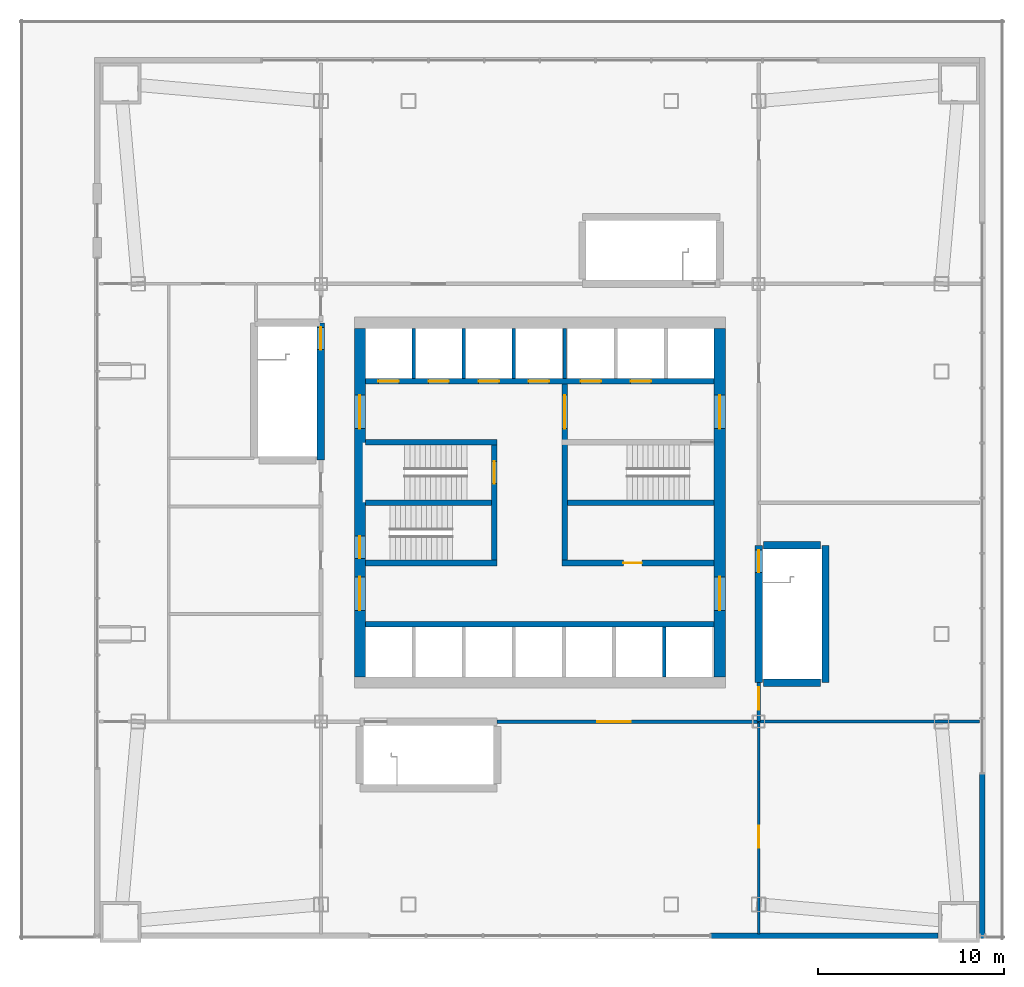
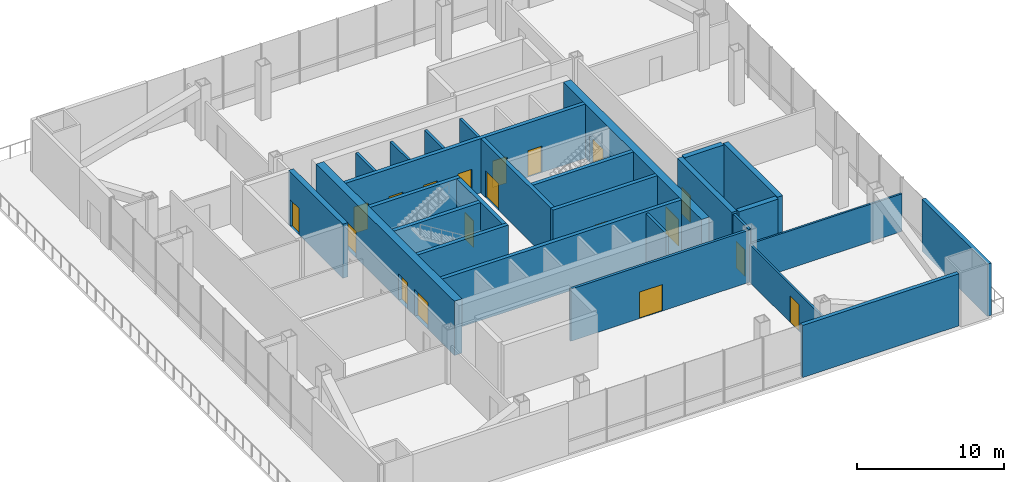
# One storey, part 12 of 15: 27 walls, 19 doors, 19 openings.
"""IFC4 building model written with IfcOpenShell, lengths in metres."""

from ifc_helpers import new_model, si_unit, direction, frame, frame_2d, origin, place, context, subcontext, project, spatial, rectangle, extrude, material, layer, layer_set, type_object, element, fill, save


model = new_model("IFC4")

# Units and contexts
model_context = context("Model", 3, precision=1e-05, world=origin(), true_north=direction((0.0, 1.0)))
body_context = subcontext(model_context, "Body", "Model", "MODEL_VIEW")
ifc_project = project(units=[si_unit("LENGTHUNIT", "METRE"), si_unit("AREAUNIT", "SQUARE_METRE"), si_unit("VOLUMEUNIT", "CUBIC_METRE"), si_unit("PLANEANGLEUNIT", "RADIAN"), si_unit("MASSUNIT", "GRAM", prefix="KILO")], contexts=[model_context])

# Site, building, storey
site_placement = place(None, origin())
site = spatial("IfcSite", under=ifc_project, at=site_placement, CompositionType="ELEMENT")
building_placement = place(site_placement, origin())
building = spatial("IfcBuilding", under=site, at=building_placement, Name="Turquesa Mirador Hotel Tower", CompositionType="ELEMENT")
storey_placement = place(building_placement, frame((0.0, 0.0, 20.5)))
storey = spatial("IfcBuildingStorey", under=building, at=storey_placement, Name="L04", CompositionType="ELEMENT", Elevation=20.5)

# Wall, openings, doors
ifc_material_1 = material(Name="Concrete C50/60", Category="concrete")
ifc_layer_1 = layer(ifc_material_1, 0.300048828125)
ifc_layer_set_1 = layer_set([ifc_layer_1], Name="CORE INNER WALL 300")
wall_type_1 = type_object("IfcWallType", Name="CORE INNER WALL 300", PredefinedType="SHEAR", material=ifc_layer_set_1)
wall_1_placement = place(storey_placement, frame((45.60009765625, 51.550048828125, 0.0), z_axis=(0.0, 0.0, 1.0), x_axis=(1.0, 0.0, 0.0)))
wall_1 = element("IfcWall", 1, at=wall_1_placement, inside=storey, type_object=wall_type_1, Name="Core wall NL", PredefinedType="SHEAR", context=body_context, shape_type="SweptSolid", body=[
    extrude(rectangle(XDim=18.7998046875, YDim=0.300048828125, at=frame_2d((9.39990234375, 0.0))), origin(), (0.0, 0.0, 1.0), 4.5),
])
opening_1_placement = place(wall_1_placement, frame((0.699951171875, 0.0, 0.0)))
opening_1 = element("IfcOpeningElement", 2, at=opening_1_placement, cuts=wall_1, Name="Opening LD", PredefinedType="OPENING", context=body_context, shape_type="SweptSolid", body=[
    extrude(rectangle(XDim=1.10009765625, YDim=2.199951171875, at=frame_2d((0.550048828125, 1.10009765625))), frame((0.0, 0.159912109375, 0.0), z_axis=(0.0, -1.0, 0.0), x_axis=(1.0, 0.0, 0.0)), (0.0, 0.0, 1.0), 0.320068359375),
])
opening_2_placement = place(wall_1_placement, frame((3.39990234375, 0.0, 0.0)))
opening_2 = element("IfcOpeningElement", 3, at=opening_2_placement, cuts=wall_1, Name="Opening LD", PredefinedType="OPENING", context=body_context, shape_type="SweptSolid", body=[
    extrude(rectangle(XDim=1.10009765625, YDim=2.199951171875, at=frame_2d((0.550048828125, 1.10009765625))), frame((0.0, 0.159912109375, 0.0), z_axis=(0.0, -1.0, 0.0), x_axis=(1.0, 0.0, 0.0)), (0.0, 0.0, 1.0), 0.320068359375),
])
opening_3_placement = place(wall_1_placement, frame((6.10009765625, 0.0, 0.0)))
opening_3 = element("IfcOpeningElement", 4, at=opening_3_placement, cuts=wall_1, Name="Opening LD", PredefinedType="OPENING", context=body_context, shape_type="SweptSolid", body=[
    extrude(rectangle(XDim=1.10009765625, YDim=2.199951171875, at=frame_2d((0.550048828125, 1.10009765625))), frame((0.0, 0.159912109375, 0.0), z_axis=(0.0, -1.0, 0.0), x_axis=(1.0, 0.0, 0.0)), (0.0, 0.0, 1.0), 0.320068359375),
])
opening_4_placement = place(wall_1_placement, frame((8.800048828125, 0.0, 0.0)))
opening_4 = element("IfcOpeningElement", 5, at=opening_4_placement, cuts=wall_1, Name="Opening LD", PredefinedType="OPENING", context=body_context, shape_type="SweptSolid", body=[
    extrude(rectangle(XDim=1.10009765625, YDim=2.199951171875, at=frame_2d((0.550048828125, 1.10009765625))), frame((0.0, 0.159912109375, 0.0), z_axis=(0.0, -1.0, 0.0), x_axis=(1.0, 0.0, 0.0)), (0.0, 0.0, 1.0), 0.320068359375),
])
opening_5_placement = place(wall_1_placement, frame((11.60009765625, 0.0, 0.0)))
opening_5 = element("IfcOpeningElement", 6, at=opening_5_placement, cuts=wall_1, Name="Opening LD", PredefinedType="OPENING", context=body_context, shape_type="SweptSolid", body=[
    extrude(rectangle(XDim=1.10009765625, YDim=2.199951171875, at=frame_2d((0.550048828125, 1.10009765625))), frame((0.0, 0.159912109375, 0.0), z_axis=(0.0, -1.0, 0.0), x_axis=(1.0, 0.0, 0.0)), (0.0, 0.0, 1.0), 0.320068359375),
])
opening_6_placement = place(wall_1_placement, frame((14.300048828125, 0.0, 0.0)))
opening_6 = element("IfcOpeningElement", 7, at=opening_6_placement, cuts=wall_1, Name="Opening LD", PredefinedType="OPENING", context=body_context, shape_type="SweptSolid", body=[
    extrude(rectangle(XDim=1.10009765625, YDim=2.199951171875, at=frame_2d((0.550048828125, 1.10009765625))), frame((0.0, 0.159912109375, 0.0), z_axis=(0.0, -1.0, 0.0), x_axis=(1.0, 0.0, 0.0)), (0.0, 0.0, 1.0), 0.320068359375),
])
ifc_material_2 = material(Name="Stainless steel lift landing door", Category="steel")
door_type_1 = type_object("IfcDoorType", Name="LIFT LANDING DOOR 1100X2200", OperationType="SLIDING_TO_LEFT", PredefinedType="DOOR", material=ifc_material_2)
door_1_placement = place(opening_1_placement, origin())
door_1 = element("IfcDoor", 8, at=door_1_placement, inside=storey, type_object=door_type_1, Name="Lift A1 landing door", OperationType="SLIDING_TO_LEFT", OverallHeight=2.199951171875, OverallWidth=1.10009765625, PredefinedType="DOOR", context=body_context, shape_type="SweptSolid", body=[
    extrude(rectangle(XDim=1.10009765625, YDim=2.199951171875, at=frame_2d((0.550048828125, 1.10009765625))), frame((0.0, 0.02490234375, 0.0), z_axis=(0.0, -1.0, 0.0), x_axis=(1.0, 0.0, 0.0)), (0.0, 0.0, 1.0), 0.050048828125),
])
fill(opening_1, door_1)
door_2_placement = place(opening_2_placement, origin())
door_2 = element("IfcDoor", 9, at=door_2_placement, inside=storey, type_object=door_type_1, Name="Lift A2 landing door", OperationType="SLIDING_TO_LEFT", OverallHeight=2.199951171875, OverallWidth=1.10009765625, PredefinedType="DOOR", context=body_context, shape_type="SweptSolid", body=[
    extrude(rectangle(XDim=1.10009765625, YDim=2.199951171875, at=frame_2d((0.550048828125, 1.10009765625))), frame((0.0, 0.02490234375, 0.0), z_axis=(0.0, -1.0, 0.0), x_axis=(1.0, 0.0, 0.0)), (0.0, 0.0, 1.0), 0.050048828125),
])
fill(opening_2, door_2)
door_3_placement = place(opening_3_placement, origin())
door_3 = element("IfcDoor", 10, at=door_3_placement, inside=storey, type_object=door_type_1, Name="Lift A3 landing door", OperationType="SLIDING_TO_LEFT", OverallHeight=2.199951171875, OverallWidth=1.10009765625, PredefinedType="DOOR", context=body_context, shape_type="SweptSolid", body=[
    extrude(rectangle(XDim=1.10009765625, YDim=2.199951171875, at=frame_2d((0.550048828125, 1.10009765625))), frame((0.0, 0.02490234375, 0.0), z_axis=(0.0, -1.0, 0.0), x_axis=(1.0, 0.0, 0.0)), (0.0, 0.0, 1.0), 0.050048828125),
])
fill(opening_3, door_3)
door_4_placement = place(opening_4_placement, origin())
door_4 = element("IfcDoor", 11, at=door_4_placement, inside=storey, type_object=door_type_1, Name="Lift A4 landing door", OperationType="SLIDING_TO_LEFT", OverallHeight=2.199951171875, OverallWidth=1.10009765625, PredefinedType="DOOR", context=body_context, shape_type="SweptSolid", body=[
    extrude(rectangle(XDim=1.10009765625, YDim=2.199951171875, at=frame_2d((0.550048828125, 1.10009765625))), frame((0.0, 0.02490234375, 0.0), z_axis=(0.0, -1.0, 0.0), x_axis=(1.0, 0.0, 0.0)), (0.0, 0.0, 1.0), 0.050048828125),
])
fill(opening_4, door_4)
door_5_placement = place(opening_5_placement, origin())
door_5 = element("IfcDoor", 12, at=door_5_placement, inside=storey, type_object=door_type_1, Name="Lift S1 landing door", OperationType="SLIDING_TO_LEFT", OverallHeight=2.199951171875, OverallWidth=1.10009765625, PredefinedType="DOOR", context=body_context, shape_type="SweptSolid", body=[
    extrude(rectangle(XDim=1.10009765625, YDim=2.199951171875, at=frame_2d((0.550048828125, 1.10009765625))), frame((0.0, 0.02490234375, 0.0), z_axis=(0.0, -1.0, 0.0), x_axis=(1.0, 0.0, 0.0)), (0.0, 0.0, 1.0), 0.050048828125),
])
fill(opening_5, door_5)
door_6_placement = place(opening_6_placement, origin())
door_6 = element("IfcDoor", 13, at=door_6_placement, inside=storey, type_object=door_type_1, Name="Lift S2 landing door", OperationType="SLIDING_TO_LEFT", OverallHeight=2.199951171875, OverallWidth=1.10009765625, PredefinedType="DOOR", context=body_context, shape_type="SweptSolid", body=[
    extrude(rectangle(XDim=1.10009765625, YDim=2.199951171875, at=frame_2d((0.550048828125, 1.10009765625))), frame((0.0, 0.02490234375, 0.0), z_axis=(0.0, -1.0, 0.0), x_axis=(1.0, 0.0, 0.0)), (0.0, 0.0, 1.0), 0.050048828125),
])
fill(opening_6, door_6)

# Walls
wall_2_placement = place(storey_placement, frame((45.60009765625, 38.449951171875, 0.0), z_axis=(0.0, 0.0, 1.0), x_axis=(1.0, 0.0, 0.0)))
element("IfcWall", 14, at=wall_2_placement, inside=storey, type_object=wall_type_1, Name="Core wall SL", PredefinedType="SHEAR", context=body_context, shape_type="SweptSolid", body=[
    extrude(rectangle(XDim=18.7998046875, YDim=0.300048828125, at=frame_2d((9.39990234375, 0.0))), origin(), (0.0, 0.0, 1.0), 4.5),
])
for number, where, z_axis, x_axis, name in (
    (15, (45.60009765625, 48.25, 0.0), (0.0, 0.0, 1.0), (1.0, 0.0, 0.0), "Core wall MN-W"),
    (16, (45.60009765625, 41.75, 0.0), (0.0, 0.0, 1.0), (1.0, 0.0, 0.0), "Core wall MS-W"),
):
    element("IfcWall", number, at=place(storey_placement, frame(where, z_axis=z_axis, x_axis=x_axis)), inside=storey, type_object=wall_type_1, Name=name, PredefinedType="SHEAR", context=body_context, shape_type="SweptSolid", body=[
        extrude(rectangle(XDim=7.099853515625, YDim=0.300048828125, at=frame_2d((3.5498046875, 0.0))), origin(), (0.0, 0.0, 1.0), 4.5),
    ])

# Wall, opening, door
wall_3_placement = place(storey_placement, frame((56.199951171875, 41.75, 0.0), z_axis=(0.0, 0.0, 1.0), x_axis=(1.0, 0.0, 0.0)))
wall_3 = element("IfcWall", 17, at=wall_3_placement, inside=storey, type_object=wall_type_1, Name="Core wall MS-E", PredefinedType="SHEAR", context=body_context, shape_type="SweptSolid", body=[
    extrude(rectangle(XDim=8.199951171875, YDim=0.300048828125, at=frame_2d((4.10009765625, 0.0))), origin(), (0.0, 0.0, 1.0), 4.5),
])
opening_7_placement = place(wall_3_placement, frame((3.300048828125, 0.0, 0.0)))
opening_7 = element("IfcOpeningElement", 18, at=opening_7_placement, cuts=wall_3, Name="Opening D05", PredefinedType="OPENING", context=body_context, shape_type="SweptSolid", body=[
    extrude(rectangle(XDim=1.0, YDim=2.10009765625, at=frame_2d((0.5, 1.050048828125))), frame((0.0, 0.159912109375, 0.0), z_axis=(0.0, -1.0, 0.0), x_axis=(1.0, 0.0, 0.0)), (0.0, 0.0, 1.0), 0.320068359375),
])
ifc_material_3 = material(Name="Steel fire door", Category="steel")
door_type_2 = type_object("IfcDoorType", Name="DOOR 1000X2100 SERVICE", OperationType="SINGLE_SWING_LEFT", PredefinedType="DOOR", material=ifc_material_3)
door_7_placement = place(opening_7_placement, origin())
door_7 = element("IfcDoor", 19, at=door_7_placement, inside=storey, type_object=door_type_2, Name="Housekeeping room door", OperationType="SINGLE_SWING_LEFT", OverallHeight=2.10009765625, OverallWidth=1.0, PredefinedType="DOOR", context=body_context, shape_type="SweptSolid", body=[
    extrude(rectangle(XDim=1.0, YDim=2.10009765625, at=frame_2d((0.5, 1.050048828125))), frame((0.0, 0.02490234375, 0.0), z_axis=(0.0, -1.0, 0.0), x_axis=(1.0, 0.0, 0.0)), (0.0, 0.0, 1.0), 0.050048828125),
])
fill(opening_7, door_7)

wall_4_placement = place(storey_placement, frame((52.550048828125, 41.89990234375, 0.0), z_axis=(0.0, 0.0, 1.0), x_axis=(0.0, 1.0, 0.0)))
wall_4 = element("IfcWall", 20, at=wall_4_placement, inside=storey, type_object=wall_type_1, Name="Core wall PW", PredefinedType="SHEAR", context=body_context, shape_type="SweptSolid", body=[
    extrude(rectangle(XDim=6.2001953125, YDim=0.300048828125, at=frame_2d((3.10009765625, 0.0))), origin(), (0.0, 0.0, 1.0), 4.5),
])
opening_8_placement = place(wall_4_placement, frame((4.125, 0.0, 0.0)))
opening_8 = element("IfcOpeningElement", 21, at=opening_8_placement, cuts=wall_4, Name="Opening D03", PredefinedType="OPENING", context=body_context, shape_type="SweptSolid", body=[
    extrude(rectangle(XDim=1.199951171875, YDim=2.199951171875, at=frame_2d((0.60009765625, 1.10009765625))), frame((0.0, 0.159912109375, 0.0), z_axis=(0.0, -1.0, 0.0), x_axis=(1.0, 0.0, 0.0)), (0.0, 0.0, 1.0), 0.320068359375),
])
ifc_material_4 = material(Name="Steel fire door", Category="steel")
door_type_3 = type_object("IfcDoorType", Name="DOOR 1200X2200 STAIR", OperationType="SINGLE_SWING_LEFT", PredefinedType="DOOR", material=ifc_material_4)
door_8_placement = place(opening_8_placement, origin())
door_8 = element("IfcDoor", 22, at=door_8_placement, inside=storey, type_object=door_type_3, Name="Stair ST1 door", OperationType="SINGLE_SWING_LEFT", OverallHeight=2.199951171875, OverallWidth=1.199951171875, PredefinedType="DOOR", context=body_context, shape_type="SweptSolid", body=[
    extrude(rectangle(XDim=1.199951171875, YDim=2.199951171875, at=frame_2d((0.60009765625, 1.10009765625))), frame((0.0, 0.02490234375, 0.0), z_axis=(0.0, -1.0, 0.0), x_axis=(1.0, 0.0, 0.0)), (0.0, 0.0, 1.0), 0.050048828125),
])
fill(opening_8, door_8)

wall_5_placement = place(storey_placement, frame((56.35009765625, 41.89990234375, 0.0), z_axis=(0.0, 0.0, 1.0), x_axis=(0.0, 1.0, 0.0)))
wall_5 = element("IfcWall", 23, at=wall_5_placement, inside=storey, type_object=wall_type_1, Name="Core wall PE", PredefinedType="SHEAR", context=body_context, shape_type="SweptSolid", body=[
    extrude(rectangle(XDim=9.5, YDim=0.300048828125, at=frame_2d((4.75, 0.0))), origin(), (0.0, 0.0, 1.0), 4.5),
])
opening_9_placement = place(wall_5_placement, frame((7.10009765625, 0.0, 0.0)))
opening_9 = element("IfcOpeningElement", 24, at=opening_9_placement, cuts=wall_5, Name="Opening D04", PredefinedType="OPENING", context=body_context, shape_type="SweptSolid", body=[
    extrude(rectangle(XDim=1.800048828125, YDim=2.199951171875, at=frame_2d((0.89990234375, 1.10009765625))), frame((0.0, 0.159912109375, 0.0), z_axis=(0.0, -1.0, 0.0), x_axis=(1.0, 0.0, 0.0)), (0.0, 0.0, 1.0), 0.320068359375),
])
ifc_material_5 = material(Name="Steel fire door pair", Category="steel")
door_type_4 = type_object("IfcDoorType", Name="DOOR 1800X2200 PAIR", OperationType="DOUBLE_DOOR_SINGLE_SWING", PredefinedType="DOOR", material=ifc_material_5)
door_9_placement = place(opening_9_placement, origin())
door_9 = element("IfcDoor", 25, at=door_9_placement, inside=storey, type_object=door_type_4, Name="Firefighting lobby inner door", OperationType="DOUBLE_DOOR_SINGLE_SWING", OverallHeight=2.199951171875, OverallWidth=1.800048828125, PredefinedType="DOOR", context=body_context, shape_type="SweptSolid", body=[
    extrude(rectangle(XDim=1.800048828125, YDim=2.199951171875, at=frame_2d((0.89990234375, 1.10009765625))), frame((0.0, 0.02490234375, 0.0), z_axis=(0.0, -1.0, 0.0), x_axis=(1.0, 0.0, 0.0)), (0.0, 0.0, 1.0), 0.050048828125),
])
fill(opening_9, door_9)

# Walls
wall_6_placement = place(storey_placement, frame((45.60009765625, 45.0, 0.0), z_axis=(0.0, 0.0, 1.0), x_axis=(1.0, 0.0, 0.0)))
element("IfcWall", 26, at=wall_6_placement, inside=storey, type_object=wall_type_1, Name="Core wall M0-W", PredefinedType="SHEAR", context=body_context, shape_type="SweptSolid", body=[
    extrude(rectangle(XDim=6.7998046875, YDim=0.300048828125, at=frame_2d((3.39990234375, 0.0))), origin(), (0.0, 0.0, 1.0), 4.5),
])
wall_7_placement = place(storey_placement, frame((56.5, 45.0, 0.0), z_axis=(0.0, 0.0, 1.0), x_axis=(1.0, 0.0, 0.0)))
element("IfcWall", 27, at=wall_7_placement, inside=storey, type_object=wall_type_1, Name="Core wall M0-E", PredefinedType="SHEAR", context=body_context, shape_type="SweptSolid", body=[
    extrude(rectangle(XDim=7.89990234375, YDim=0.300048828125, at=frame_2d((3.949951171875, 0.0))), origin(), (0.0, 0.0, 1.0), 4.5),
])

# Wall, openings, doors
ifc_material_6 = material(Name="Concrete C50/60", Category="concrete")
ifc_layer_2 = layer(ifc_material_6, 0.60009765625)
ifc_layer_set_2 = layer_set([ifc_layer_2], Name="CORE WALL 600")
wall_type_2 = type_object("IfcWallType", Name="CORE WALL 600", PredefinedType="SHEAR", material=ifc_layer_set_2)
wall_8_placement = place(storey_placement, frame((64.699951171875, 35.60009765625, 0.0), z_axis=(0.0, 0.0, 1.0), x_axis=(0.0, 1.0, 0.0)))
wall_8 = element("IfcWall", 28, at=wall_8_placement, inside=storey, type_object=wall_type_2, Name="Core wall E", PredefinedType="SHEAR", context=body_context, shape_type="SweptSolid", body=[
    extrude(rectangle(XDim=18.7998046875, YDim=0.60009765625, at=frame_2d((9.39990234375, 0.0))), origin(), (0.0, 0.0, 1.0), 4.5),
])
opening_10_placement = place(wall_8_placement, frame((13.39990234375, 0.0, 0.0)))
opening_10 = element("IfcOpeningElement", 29, at=opening_10_placement, cuts=wall_8, Name="Opening D04", PredefinedType="OPENING", context=body_context, shape_type="SweptSolid", body=[
    extrude(rectangle(XDim=1.800048828125, YDim=2.199951171875, at=frame_2d((0.89990234375, 1.10009765625))), frame((0.0, 0.31005859375, 0.0), z_axis=(0.0, -1.0, 0.0), x_axis=(1.0, 0.0, 0.0)), (0.0, 0.0, 1.0), 0.6201171875),
])
opening_11_placement = place(wall_8_placement, frame((3.60009765625, 0.0, 0.0)))
opening_11 = element("IfcOpeningElement", 30, at=opening_11_placement, cuts=wall_8, Name="Opening D04", PredefinedType="OPENING", context=body_context, shape_type="SweptSolid", body=[
    extrude(rectangle(XDim=1.800048828125, YDim=2.199951171875, at=frame_2d((0.89990234375, 1.10009765625))), frame((0.0, 0.31005859375, 0.0), z_axis=(0.0, -1.0, 0.0), x_axis=(1.0, 0.0, 0.0)), (0.0, 0.0, 1.0), 0.6201171875),
])
door_10_placement = place(opening_10_placement, origin())
door_10 = element("IfcDoor", 31, at=door_10_placement, inside=storey, type_object=door_type_4, Name="Firefighting lobby door", OperationType="DOUBLE_DOOR_SINGLE_SWING", OverallHeight=2.199951171875, OverallWidth=1.800048828125, PredefinedType="DOOR", context=body_context, shape_type="SweptSolid", body=[
    extrude(rectangle(XDim=1.800048828125, YDim=2.199951171875, at=frame_2d((0.89990234375, 1.10009765625))), frame((0.0, 0.02490234375, 0.0), z_axis=(0.0, -1.0, 0.0), x_axis=(1.0, 0.0, 0.0)), (0.0, 0.0, 1.0), 0.050048828125),
])
fill(opening_10, door_10)
door_11_placement = place(opening_11_placement, origin())
door_11 = element("IfcDoor", 32, at=door_11_placement, inside=storey, type_object=door_type_4, Name="South lift lobby door", OperationType="DOUBLE_DOOR_SINGLE_SWING", OverallHeight=2.199951171875, OverallWidth=1.800048828125, PredefinedType="DOOR", context=body_context, shape_type="SweptSolid", body=[
    extrude(rectangle(XDim=1.800048828125, YDim=2.199951171875, at=frame_2d((0.89990234375, 1.10009765625))), frame((0.0, 0.02490234375, 0.0), z_axis=(0.0, -1.0, 0.0), x_axis=(1.0, 0.0, 0.0)), (0.0, 0.0, 1.0), 0.050048828125),
])
fill(opening_11, door_11)

wall_9_placement = place(storey_placement, frame((45.300048828125, 35.60009765625, 0.0), z_axis=(0.0, 0.0, 1.0), x_axis=(0.0, 1.0, 0.0)))
wall_9 = element("IfcWall", 33, at=wall_9_placement, inside=storey, type_object=wall_type_2, Name="Core wall W", PredefinedType="SHEAR", context=body_context, shape_type="SweptSolid", body=[
    extrude(rectangle(XDim=18.7998046875, YDim=0.60009765625, at=frame_2d((9.39990234375, 0.0))), origin(), (0.0, 0.0, 1.0), 4.5),
])
opening_12_placement = place(wall_9_placement, frame((13.39990234375, 0.0, 0.0)))
opening_12 = element("IfcOpeningElement", 34, at=opening_12_placement, cuts=wall_9, Name="Opening D04", PredefinedType="OPENING", context=body_context, shape_type="SweptSolid", body=[
    extrude(rectangle(XDim=1.800048828125, YDim=2.199951171875, at=frame_2d((0.89990234375, 1.10009765625))), frame((0.0, 0.31005859375, 0.0), z_axis=(0.0, -1.0, 0.0), x_axis=(1.0, 0.0, 0.0)), (0.0, 0.0, 1.0), 0.6201171875),
])
opening_13_placement = place(wall_9_placement, frame((3.60009765625, 0.0, 0.0)))
opening_13 = element("IfcOpeningElement", 35, at=opening_13_placement, cuts=wall_9, Name="Opening D04", PredefinedType="OPENING", context=body_context, shape_type="SweptSolid", body=[
    extrude(rectangle(XDim=1.800048828125, YDim=2.199951171875, at=frame_2d((0.89990234375, 1.10009765625))), frame((0.0, 0.31005859375, 0.0), z_axis=(0.0, -1.0, 0.0), x_axis=(1.0, 0.0, 0.0)), (0.0, 0.0, 1.0), 0.6201171875),
])
opening_14_placement = place(wall_9_placement, frame((6.39990234375, 0.0, 0.0)))
opening_14 = element("IfcOpeningElement", 36, at=opening_14_placement, cuts=wall_9, Name="Opening D03", PredefinedType="OPENING", context=body_context, shape_type="SweptSolid", body=[
    extrude(rectangle(XDim=1.199951171875, YDim=2.199951171875, at=frame_2d((0.60009765625, 1.10009765625))), frame((0.0, 0.31005859375, 0.0), z_axis=(0.0, -1.0, 0.0), x_axis=(1.0, 0.0, 0.0)), (0.0, 0.0, 1.0), 0.6201171875),
])
door_12_placement = place(opening_14_placement, origin())
door_12 = element("IfcDoor", 37, at=door_12_placement, inside=storey, type_object=door_type_3, Name="Stair ST2 door", OperationType="SINGLE_SWING_LEFT", OverallHeight=2.199951171875, OverallWidth=1.199951171875, PredefinedType="DOOR", context=body_context, shape_type="SweptSolid", body=[
    extrude(rectangle(XDim=1.199951171875, YDim=2.199951171875, at=frame_2d((0.60009765625, 1.10009765625))), frame((0.0, 0.02490234375, 0.0), z_axis=(0.0, -1.0, 0.0), x_axis=(1.0, 0.0, 0.0)), (0.0, 0.0, 1.0), 0.050048828125),
])
fill(opening_14, door_12)
door_13_placement = place(opening_12_placement, origin())
door_13 = element("IfcDoor", 38, at=door_13_placement, inside=storey, type_object=door_type_4, Name="North lift lobby door", OperationType="DOUBLE_DOOR_SINGLE_SWING", OverallHeight=2.199951171875, OverallWidth=1.800048828125, PredefinedType="DOOR", context=body_context, shape_type="SweptSolid", body=[
    extrude(rectangle(XDim=1.800048828125, YDim=2.199951171875, at=frame_2d((0.89990234375, 1.10009765625))), frame((0.0, 0.02490234375, 0.0), z_axis=(0.0, -1.0, 0.0), x_axis=(1.0, 0.0, 0.0)), (0.0, 0.0, 1.0), 0.050048828125),
])
fill(opening_12, door_13)
door_14_placement = place(opening_13_placement, origin())
door_14 = element("IfcDoor", 39, at=door_14_placement, inside=storey, type_object=door_type_4, Name="South lift lobby door", OperationType="DOUBLE_DOOR_SINGLE_SWING", OverallHeight=2.199951171875, OverallWidth=1.800048828125, PredefinedType="DOOR", context=body_context, shape_type="SweptSolid", body=[
    extrude(rectangle(XDim=1.800048828125, YDim=2.199951171875, at=frame_2d((0.89990234375, 1.10009765625))), frame((0.0, 0.02490234375, 0.0), z_axis=(0.0, -1.0, 0.0), x_axis=(1.0, 0.0, 0.0)), (0.0, 0.0, 1.0), 0.050048828125),
])
fill(opening_13, door_14)

# Wall, opening, door
ifc_material_7 = material(Name="Fire-rated gypsum board on steel studs", Category="steel")
ifc_layer_3 = layer(ifc_material_7, 0.199951171875)
ifc_layer_set_3 = layer_set([ifc_layer_3], Name="CORRIDOR WALL 200")
wall_type_3 = type_object("IfcWallType", Name="CORRIDOR WALL 200", PredefinedType="PARTITIONING", material=ifc_layer_set_3)
wall_10_placement = place(storey_placement, frame((52.699951171875, 33.199951171875, 0.0), z_axis=(0.0, 0.0, 1.0), x_axis=(1.0, 0.0, 0.0)))
wall_10 = element("IfcWall", 40, at=wall_10_placement, inside=storey, type_object=wall_type_3, Name="Partition L04 003", PredefinedType="PARTITIONING", context=body_context, shape_type="SweptSolid", body=[
    extrude(rectangle(XDim=14.10009765625, YDim=0.199951171875, at=frame_2d((7.050048828125, 0.0))), origin(), (0.0, 0.0, 1.0), 4.330078125),
])
opening_15_placement = place(wall_10_placement, frame((5.39990234375, 0.0, 0.0)))
opening_15 = element("IfcOpeningElement", 41, at=opening_15_placement, cuts=wall_10, Name="Opening D04", PredefinedType="OPENING", context=body_context, shape_type="SweptSolid", body=[
    extrude(rectangle(XDim=1.800048828125, YDim=2.199951171875, at=frame_2d((0.89990234375, 1.10009765625))), frame((0.0, 0.10986328125, 0.0), z_axis=(0.0, -1.0, 0.0), x_axis=(1.0, 0.0, 0.0)), (0.0, 0.0, 1.0), 0.219970703125),
])
door_15_placement = place(opening_15_placement, origin())
door_15 = element("IfcDoor", 42, at=door_15_placement, inside=storey, type_object=door_type_4, Name="Door L04-01", OperationType="DOUBLE_DOOR_SINGLE_SWING", OverallHeight=2.199951171875, OverallWidth=1.800048828125, PredefinedType="DOOR", context=body_context, shape_type="SweptSolid", body=[
    extrude(rectangle(XDim=1.800048828125, YDim=2.199951171875, at=frame_2d((0.89990234375, 1.10009765625))), frame((0.0, 0.02490234375, 0.0), z_axis=(0.0, -1.0, 0.0), x_axis=(1.0, 0.0, 0.0)), (0.0, 0.0, 1.0), 0.050048828125),
])
fill(opening_15, door_15)

wall_11_placement = place(storey_placement, frame((66.800048828125, 33.199951171875, 0.0), z_axis=(0.0, 0.0, 1.0), x_axis=(0.0, 1.0, 0.0)))
wall_11 = element("IfcWall", 43, at=wall_11_placement, inside=storey, type_object=wall_type_3, Name="Partition L04 028", PredefinedType="PARTITIONING", context=body_context, shape_type="SweptSolid", body=[
    extrude(rectangle(XDim=2.10009765625, YDim=0.199951171875, at=frame_2d((1.050048828125, 0.0))), origin(), (0.0, 0.0, 1.0), 4.330078125),
])
opening_16_placement = place(wall_11_placement, frame((0.64990234375, 0.0, 0.0)))
opening_16 = element("IfcOpeningElement", 44, at=opening_16_placement, cuts=wall_11, Name="Opening D09", PredefinedType="OPENING", context=body_context, shape_type="SweptSolid", body=[
    extrude(rectangle(XDim=1.199951171875, YDim=2.199951171875, at=frame_2d((0.60009765625, 1.10009765625))), frame((0.0, 0.10986328125, 0.0), z_axis=(0.0, -1.0, 0.0), x_axis=(1.0, 0.0, 0.0)), (0.0, 0.0, 1.0), 0.219970703125),
])
ifc_material_8 = material(Name="Timber door", Category="wood")
door_type_5 = type_object("IfcDoorType", Name="DOOR 1200X2200 OFFICE", OperationType="SINGLE_SWING_LEFT", PredefinedType="DOOR", material=ifc_material_8)
door_16_placement = place(opening_16_placement, origin())
door_16 = element("IfcDoor", 45, at=door_16_placement, inside=storey, type_object=door_type_5, Name="Door L04-12", OperationType="SINGLE_SWING_LEFT", OverallHeight=2.199951171875, OverallWidth=1.199951171875, PredefinedType="DOOR", context=body_context, shape_type="SweptSolid", body=[
    extrude(rectangle(XDim=1.199951171875, YDim=2.199951171875, at=frame_2d((0.60009765625, 1.10009765625))), frame((0.0, 0.02490234375, 0.0), z_axis=(0.0, -1.0, 0.0), x_axis=(1.0, 0.0, 0.0)), (0.0, 0.0, 1.0), 0.050048828125),
])
fill(opening_16, door_16)

# Walls
ifc_material_9 = material(Name="Limestone cladding on concrete block", Category="masonry")
ifc_layer_4 = layer(ifc_material_9, 0.300048828125)
ifc_layer_set_4 = layer_set([ifc_layer_4], Name="FACADE WALL 300 STONE PIER")
wall_type_4 = type_object("IfcWallType", Name="FACADE WALL 300 STONE PIER", PredefinedType="SOLIDWALL", material=ifc_layer_set_4)
wall_12_placement = place(storey_placement, frame((78.85009765625, 21.5, 0.0), z_axis=(0.0, 0.0, 1.0), x_axis=(0.0, 1.0, 0.0)))
element("IfcWall", 46, at=wall_12_placement, inside=storey, type_object=wall_type_4, Name="Facade wall L04 bay CWP-L04-E0 00", PredefinedType="SOLIDWALL", context=body_context, shape_type="SweptSolid", body=[
    extrude(rectangle(XDim=8.90625, YDim=0.300048828125, at=frame_2d((4.453125, 0.0))), origin(), (0.0, 0.0, 1.0), 4.330078125),
])
wall_13_placement = place(storey_placement, frame((64.199462890625, 21.64990234375, 0.0), z_axis=(0.0, 0.0, 1.0), x_axis=(1.0, 0.0, 0.0)))
element("IfcWall", 47, at=wall_13_placement, inside=storey, type_object=wall_type_4, Name="Facade wall L04 bay CWP-L04-S0a 10", PredefinedType="SOLIDWALL", context=body_context, shape_type="SweptSolid", body=[
    extrude(rectangle(XDim=12.26611328125, YDim=0.300048828125, at=frame_2d((6.133056640625, 0.0))), origin(), (0.0, 0.0, 1.0), 4.330078125),
])
ifc_material_10 = material(Name="Fire-rated gypsum shaft wall on steel studs", Category="steel")
ifc_layer_5 = layer(ifc_material_10, 0.199951171875)
ifc_layer_set_5 = layer_set([ifc_layer_5], Name="LIFT SHAFT DIVIDER 200")
wall_type_5 = type_object("IfcWallType", Name="LIFT SHAFT DIVIDER 200", PredefinedType="PARTITIONING", material=ifc_layer_set_5)
for number, where, z_axis, x_axis, name in (
    (48, (48.199951171875, 51.699951171875, 0.0), (0.0, 0.0, 1.0), (0.0, 1.0, 0.0), "Lift shaft divider"),
    (49, (50.89990234375, 51.699951171875, 0.0), (0.0, 0.0, 1.0), (0.0, 1.0, 0.0), "Lift shaft divider"),
    (50, (53.60009765625, 51.699951171875, 0.0), (0.0, 0.0, 1.0), (0.0, 1.0, 0.0), "Lift shaft divider"),
    (51, (56.35009765625, 51.699951171875, 0.0), (0.0, 0.0, 1.0), (0.0, 1.0, 0.0), "Lift shaft divider"),
    (52, (61.699951171875, 35.60009765625, 0.0), (0.0, 0.0, 1.0), (0.0, 1.0, 0.0), "Lift shaft divider"),
):
    element("IfcWall", number, at=place(storey_placement, frame(where, z_axis=z_axis, x_axis=x_axis)), inside=storey, type_object=wall_type_5, Name=name, PredefinedType="PARTITIONING", context=body_context, shape_type="SweptSolid", body=[
        extrude(rectangle(XDim=2.699951171875, YDim=0.199951171875, at=frame_2d((1.35009765625, 0.0))), origin(), (0.0, 0.0, 1.0), 4.330078125),
    ])
ifc_material_11 = material(Name="Gypsum board on steel studs", Category="steel")
ifc_layer_6 = layer(ifc_material_11, 0.14990234375)
ifc_layer_set_6 = layer_set([ifc_layer_6], Name="PARTITION 150")
wall_type_6 = type_object("IfcWallType", Name="PARTITION 150", PredefinedType="PARTITIONING", material=ifc_layer_set_6)
wall_14_placement = place(storey_placement, frame((66.800048828125, 33.199951171875, 0.0), z_axis=(0.0, 0.0, 1.0), x_axis=(1.0, 0.0, 0.0)))
element("IfcWall", 53, at=wall_14_placement, inside=storey, type_object=wall_type_6, Name="Partition L04 005", PredefinedType="PARTITIONING", context=body_context, shape_type="SweptSolid", body=[
    extrude(rectangle(XDim=11.89990234375, YDim=0.14990234375, at=frame_2d((5.949951171875, 0.0))), origin(), (0.0, 0.0, 1.0), 3.1298828125),
])

# Wall, opening, door
wall_15_placement = place(storey_placement, frame((66.800048828125, 21.7548828125, 0.0), z_axis=(0.0, 0.0, 1.0), x_axis=(0.0, 1.0, 0.0)))
wall_15 = element("IfcWall", 54, at=wall_15_placement, inside=storey, type_object=wall_type_6, Name="Partition L04 031", PredefinedType="PARTITIONING", context=body_context, shape_type="SweptSolid", body=[
    extrude(rectangle(XDim=11.445068359375, YDim=0.14990234375, at=frame_2d((5.72265625, 0.0))), origin(), (0.0, 0.0, 1.0), 3.1298828125),
])
opening_17_placement = place(wall_15_placement, frame((4.64501953125, 0.0, 0.0)))
opening_17 = element("IfcOpeningElement", 55, at=opening_17_placement, cuts=wall_15, Name="Opening D09", PredefinedType="OPENING", context=body_context, shape_type="SweptSolid", body=[
    extrude(rectangle(XDim=1.199951171875, YDim=2.199951171875, at=frame_2d((0.60009765625, 1.10009765625))), frame((0.0, 0.0849609375, 0.0), z_axis=(0.0, -1.0, 0.0), x_axis=(1.0, 0.0, 0.0)), (0.0, 0.0, 1.0), 0.169921875),
])
door_17_placement = place(opening_17_placement, origin())
door_17 = element("IfcDoor", 56, at=door_17_placement, inside=storey, type_object=door_type_5, Name="Door L04-03", OperationType="SINGLE_SWING_LEFT", OverallHeight=2.199951171875, OverallWidth=1.199951171875, PredefinedType="DOOR", context=body_context, shape_type="SweptSolid", body=[
    extrude(rectangle(XDim=1.199951171875, YDim=2.199951171875, at=frame_2d((0.60009765625, 1.10009765625))), frame((0.0, 0.02490234375, 0.0), z_axis=(0.0, -1.0, 0.0), x_axis=(1.0, 0.0, 0.0)), (0.0, 0.0, 1.0), 0.050048828125),
])
fill(opening_17, door_17)

# Walls
ifc_material_12 = material(Name="Concrete C50/60", Category="concrete")
ifc_layer_7 = layer(ifc_material_12, 0.39990234375)
ifc_layer_set_7 = layer_set([ifc_layer_7], Name="STAIR WALL 400")
wall_type_7 = type_object("IfcWallType", Name="STAIR WALL 400", PredefinedType="SHEAR", material=ifc_layer_set_7)
for number, where, z_axis, x_axis, name in (
    (57, (67.070068359375, 42.699951171875, 0.0), (0.0, 0.0, 1.0), (1.0, 0.0, 0.0), "Stair wall L04 008"),
    (58, (67.070068359375, 35.300048828125, 0.0), (0.0, 0.0, 1.0), (1.0, 0.0, 0.0), "Stair wall L04 010"),
):
    element("IfcWall", number, at=place(storey_placement, frame(where, z_axis=z_axis, x_axis=x_axis)), inside=storey, type_object=wall_type_7, Name=name, PredefinedType="SHEAR", context=body_context, shape_type="SweptSolid", body=[
        extrude(rectangle(XDim=3.059814453125, YDim=0.39990234375, at=frame_2d((1.52978515625, 0.0))), origin(), (0.0, 0.0, 1.0), 4.5),
    ])

# Wall, opening, door
wall_16_placement = place(storey_placement, frame((43.199951171875, 47.300048828125, 0.0), z_axis=(0.0, 0.0, 1.0), x_axis=(0.0, 1.0, 0.0)))
wall_16 = element("IfcWall", 59, at=wall_16_placement, inside=storey, type_object=wall_type_7, Name="Stair wall L04 023", PredefinedType="SHEAR", context=body_context, shape_type="SweptSolid", body=[
    extrude(rectangle(XDim=7.39990234375, YDim=0.39990234375, at=frame_2d((3.699951171875, 0.0))), origin(), (0.0, 0.0, 1.0), 4.5),
])
opening_18_placement = place(wall_16_placement, frame((5.949951171875, 0.0, 0.0)))
opening_18 = element("IfcOpeningElement", 60, at=opening_18_placement, cuts=wall_16, Name="Opening D03", PredefinedType="OPENING", context=body_context, shape_type="SweptSolid", body=[
    extrude(rectangle(XDim=1.199951171875, YDim=2.199951171875, at=frame_2d((0.60009765625, 1.10009765625))), frame((0.0, 0.2099609375, 0.0), z_axis=(0.0, -1.0, 0.0), x_axis=(1.0, 0.0, 0.0)), (0.0, 0.0, 1.0), 0.419921875),
])
door_18_placement = place(opening_18_placement, origin())
door_18 = element("IfcDoor", 61, at=door_18_placement, inside=storey, type_object=door_type_3, Name="Door L04-PS4", OperationType="SINGLE_SWING_LEFT", OverallHeight=2.199951171875, OverallWidth=1.199951171875, PredefinedType="DOOR", context=body_context, shape_type="SweptSolid", body=[
    extrude(rectangle(XDim=1.199951171875, YDim=2.199951171875, at=frame_2d((0.60009765625, 1.10009765625))), frame((0.0, 0.02490234375, 0.0), z_axis=(0.0, -1.0, 0.0), x_axis=(1.0, 0.0, 0.0)), (0.0, 0.0, 1.0), 0.050048828125),
])
fill(opening_18, door_18)

wall_17_placement = place(storey_placement, frame((66.800048828125, 35.300048828125, 0.0), z_axis=(0.0, 0.0, 1.0), x_axis=(0.0, 1.0, 0.0)))
wall_17 = element("IfcWall", 62, at=wall_17_placement, inside=storey, type_object=wall_type_7, Name="Stair wall L04 032", PredefinedType="SHEAR", context=body_context, shape_type="SweptSolid", body=[
    extrude(rectangle(XDim=7.39990234375, YDim=0.39990234375, at=frame_2d((3.699951171875, 0.0))), origin(), (0.0, 0.0, 1.0), 4.5),
])
opening_19_placement = place(wall_17_placement, frame((5.949951171875, 0.0, 0.0)))
opening_19 = element("IfcOpeningElement", 63, at=opening_19_placement, cuts=wall_17, Name="Opening D03", PredefinedType="OPENING", context=body_context, shape_type="SweptSolid", body=[
    extrude(rectangle(XDim=1.199951171875, YDim=2.199951171875, at=frame_2d((0.60009765625, 1.10009765625))), frame((0.0, 0.2099609375, 0.0), z_axis=(0.0, -1.0, 0.0), x_axis=(1.0, 0.0, 0.0)), (0.0, 0.0, 1.0), 0.419921875),
])
door_19_placement = place(opening_19_placement, origin())
door_19 = element("IfcDoor", 64, at=door_19_placement, inside=storey, type_object=door_type_3, Name="Door L04-PS3", OperationType="SINGLE_SWING_LEFT", OverallHeight=2.199951171875, OverallWidth=1.199951171875, PredefinedType="DOOR", context=body_context, shape_type="SweptSolid", body=[
    extrude(rectangle(XDim=1.199951171875, YDim=2.199951171875, at=frame_2d((0.60009765625, 1.10009765625))), frame((0.0, 0.02490234375, 0.0), z_axis=(0.0, -1.0, 0.0), x_axis=(1.0, 0.0, 0.0)), (0.0, 0.0, 1.0), 0.050048828125),
])
fill(opening_19, door_19)

# Wall
wall_18_placement = place(storey_placement, frame((70.39990234375, 35.300048828125, 0.0), z_axis=(0.0, 0.0, 1.0), x_axis=(0.0, 1.0, 0.0)))
element("IfcWall", 65, at=wall_18_placement, inside=storey, type_object=wall_type_7, Name="Stair wall L04 033", PredefinedType="SHEAR", context=body_context, shape_type="SweptSolid", body=[
    extrude(rectangle(XDim=7.39990234375, YDim=0.39990234375, at=frame_2d((3.699951171875, 0.0))), origin(), (0.0, 0.0, 1.0), 4.5),
])

save(model, "model.ifc")
